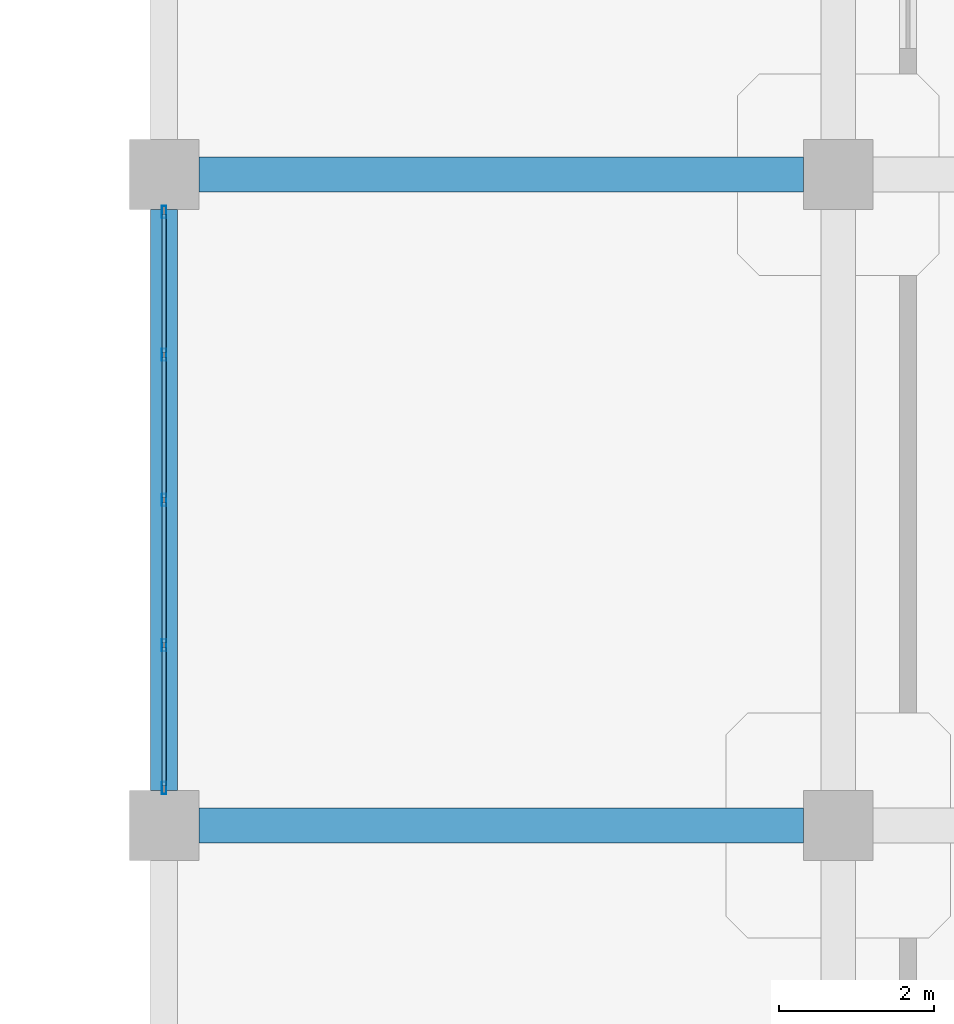
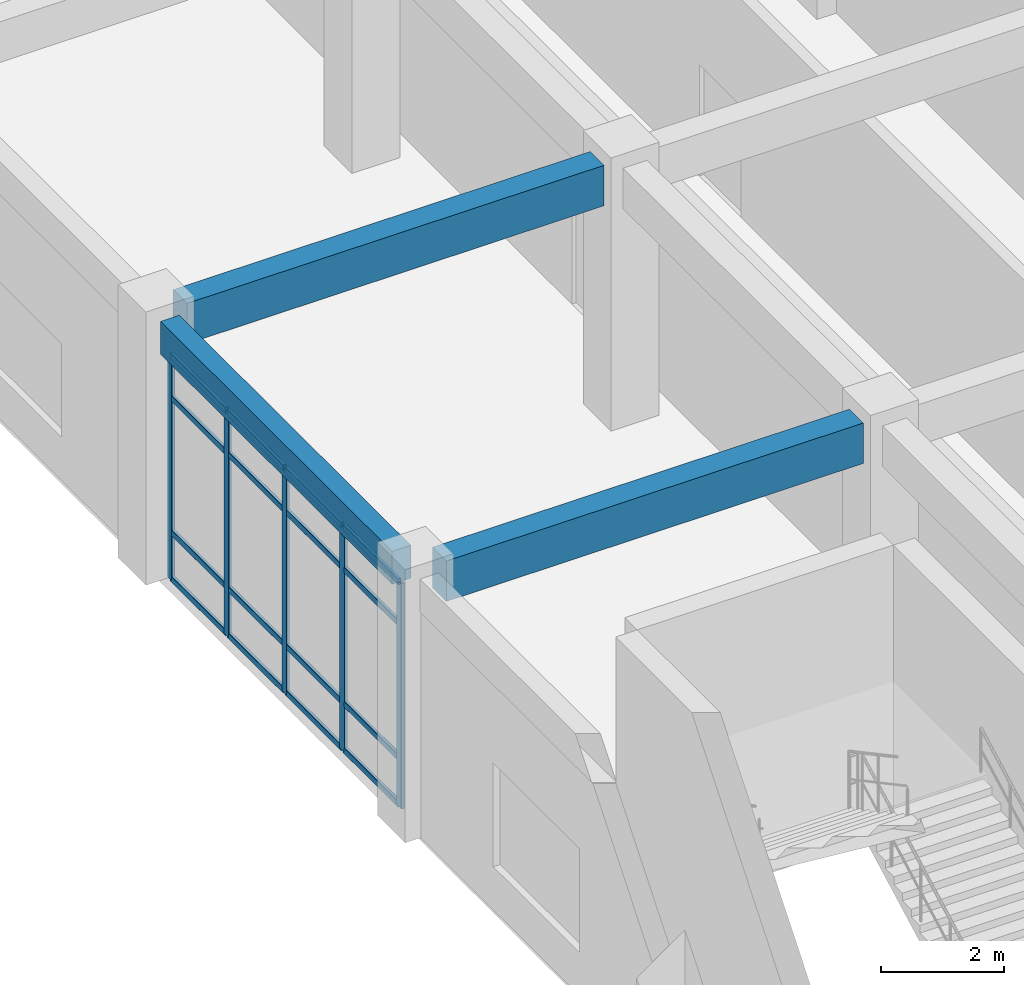
# One storey, part 30 of 114: 21 members, 3 beams, 1 element without a shape of its own.
"""IFC4 building model written with IfcOpenShell, lengths in metres."""

from ifc_helpers import new_model, si_unit, derived_unit, direction, frame, origin, origin_2d, place, context, subcontext, project, spatial, rectangle, hollow_rectangle, extrude, material, layer, layer_set, material_profile, profile_set, type_object, element, aggregate, save


model = new_model("IFC4")

# Units and contexts
model_context = context("Model", 3, precision=1e-05, world=origin(), true_north=direction((0.0, 1.0)))
body_context = subcontext(model_context, "Body", "Model", "MODEL_VIEW")
ifc_project = project(units=[si_unit("LENGTHUNIT", "METRE"), si_unit("AREAUNIT", "SQUARE_METRE"), si_unit("VOLUMEUNIT", "CUBIC_METRE"), si_unit("PLANEANGLEUNIT", "RADIAN"), si_unit("MASSUNIT", "GRAM", prefix="KILO"), derived_unit("THERMALTRANSMITTANCEUNIT", [(si_unit("MASSUNIT", "GRAM", prefix="KILO"), 1), (si_unit("TIMEUNIT", "SECOND"), -3), (si_unit("THERMODYNAMICTEMPERATUREUNIT", "KELVIN"), -1)])], contexts=[model_context])

# Site, building, storey
site_placement = place(None, origin())
site = spatial("IfcSite", under=ifc_project, at=site_placement, CompositionType="ELEMENT")
building_placement = place(site_placement, origin())
building = spatial("IfcBuilding", under=site, at=building_placement, Name="Qinzheling Arcade Emporium", CompositionType="ELEMENT")
storey_placement = place(building_placement, frame((0.0, 0.0, 6.0)))
storey = spatial("IfcBuildingStorey", under=building, at=storey_placement, Name="L02", CompositionType="ELEMENT", Elevation=6.0)

# Curtain wall, members
ifc_material_1 = material(Name="Anodised aluminium and solar-control double glazing", Category="aluminium")
ifc_layer = layer(ifc_material_1, 0.159912109375, Name="Anodised aluminium and solar-control double glazing", Category="aluminium")
ifc_layer_set = layer_set([ifc_layer], Name="Anodised aluminium and solar-control double glazing")
curtain_wall_type = type_object("IfcCurtainWallType", Name="Arcade Portal Glazed Curtain Wall", PredefinedType="NOTDEFINED", material=ifc_layer_set)
curtain_wall_placement = place(storey_placement, origin())
curtain_wall = element("IfcCurtainWall", 1, at=curtain_wall_placement, inside=storey, type_object=curtain_wall_type, Name="Curtain Wall CW-L02-061", PredefinedType="NOTDEFINED")
ifc_material_2 = material(Name="Anodised aluminium 6063-T6", Category="aluminium")
ifc_material_profile_1 = material_profile(ifc_material_2, hollow_rectangle(XDim=0.06005859375, YDim=0.159912109375, WallThickness=0.00390625, InnerFilletRadius=0.00390625, OuterFilletRadius=0.008056640625, at=origin_2d()), Name="RHS 160x60x4", Category="aluminium")
ifc_profile_set_1 = profile_set([ifc_material_profile_1], Name="Anodised aluminium 6063-T6")
member_type_1 = type_object("IfcMemberType", Name="Curtain Wall Mullion RHS160x60", PredefinedType="MULLION", material=ifc_profile_set_1)
member_1_placement = place(storey_placement, frame((104.39990234375, 17.281982421875, 0.0), z_axis=(0.0, 0.0, 1.0), x_axis=(-1.0, 0.0, 0.0)))
member_1 = element("IfcMember", 2, at=member_1_placement, type_object=member_type_1, Name="CW05 mullion 1", PredefinedType="MULLION", context=body_context, shape_type="SweptSolid", body=[
    extrude(hollow_rectangle(XDim=0.06005859375, YDim=0.159912109375, WallThickness=0.00390625, InnerFilletRadius=0.00390625, OuterFilletRadius=0.008056640625, at=origin_2d()), origin(), (0.0, 0.0, 1.0), 4.455078125),
])
member_2_placement = place(storey_placement, frame((104.39990234375, 19.1259765625, 0.0), z_axis=(0.0, 0.0, 1.0), x_axis=(-1.0, 0.0, 0.0)))
member_2 = element("IfcMember", 3, at=member_2_placement, type_object=member_type_1, Name="CW05 mullion 2", PredefinedType="MULLION", context=body_context, shape_type="SweptSolid", body=[
    extrude(hollow_rectangle(XDim=0.06005859375, YDim=0.159912109375, WallThickness=0.00390625, InnerFilletRadius=0.00390625, OuterFilletRadius=0.008056640625, at=origin_2d()), origin(), (0.0, 0.0, 1.0), 4.455078125),
])
member_3_placement = place(storey_placement, frame((104.39990234375, 21.0, 0.0), z_axis=(0.0, 0.0, 1.0), x_axis=(-1.0, 0.0, 0.0)))
member_3 = element("IfcMember", 4, at=member_3_placement, type_object=member_type_1, Name="CW05 mullion 3", PredefinedType="MULLION", context=body_context, shape_type="SweptSolid", body=[
    extrude(hollow_rectangle(XDim=0.06005859375, YDim=0.159912109375, WallThickness=0.00390625, InnerFilletRadius=0.00390625, OuterFilletRadius=0.008056640625, at=origin_2d()), origin(), (0.0, 0.0, 1.0), 4.455078125),
])
member_4_placement = place(storey_placement, frame((104.39990234375, 22.8740234375, 0.0), z_axis=(0.0, 0.0, 1.0), x_axis=(-1.0, 0.0, 0.0)))
member_4 = element("IfcMember", 5, at=member_4_placement, type_object=member_type_1, Name="CW05 mullion 4", PredefinedType="MULLION", context=body_context, shape_type="SweptSolid", body=[
    extrude(hollow_rectangle(XDim=0.06005859375, YDim=0.159912109375, WallThickness=0.00390625, InnerFilletRadius=0.00390625, OuterFilletRadius=0.008056640625, at=origin_2d()), origin(), (0.0, 0.0, 1.0), 4.455078125),
])
member_5_placement = place(storey_placement, frame((104.39990234375, 24.718017578125, 0.0), z_axis=(0.0, 0.0, 1.0), x_axis=(-1.0, 0.0, 0.0)))
member_5 = element("IfcMember", 6, at=member_5_placement, type_object=member_type_1, Name="CW05 mullion 5", PredefinedType="MULLION", context=body_context, shape_type="SweptSolid", body=[
    extrude(hollow_rectangle(XDim=0.06005859375, YDim=0.159912109375, WallThickness=0.00390625, InnerFilletRadius=0.00390625, OuterFilletRadius=0.008056640625, at=origin_2d()), origin(), (0.0, 0.0, 1.0), 4.455078125),
])
ifc_material_profile_2 = material_profile(ifc_material_2, hollow_rectangle(XDim=0.06005859375, YDim=0.1201171875, WallThickness=0.00390625, InnerFilletRadius=0.00390625, OuterFilletRadius=0.008056640625, at=origin_2d()), Name="RHS 120x60x4", Category="aluminium")
ifc_profile_set_2 = profile_set([ifc_material_profile_2], Name="Anodised aluminium 6063-T6")
member_type_2 = type_object("IfcMemberType", Name="Curtain Wall Transom RHS120x60", PredefinedType="USERDEFINED", material=ifc_profile_set_2)
member_6_placement = place(storey_placement, frame((104.39990234375, 17.31201171875, 0.030029296875), z_axis=(0.0, 1.0, 0.0), x_axis=(-1.0, 0.0, 0.0)))
member_6 = element("IfcMember", 7, at=member_6_placement, type_object=member_type_2, Name="CW05 transom 1.1", ObjectType="TRANSOM", PredefinedType="USERDEFINED", context=body_context, shape_type="SweptSolid", body=[
    extrude(hollow_rectangle(XDim=0.06005859375, YDim=0.1201171875, WallThickness=0.00390625, InnerFilletRadius=0.00390625, OuterFilletRadius=0.008056640625, at=origin_2d()), origin(), (0.0, 0.0, 1.0), 1.783935546875),
])
member_7_placement = place(storey_placement, frame((104.39990234375, 17.31201171875, 0.949951171875), z_axis=(0.0, 1.0, 0.0), x_axis=(-1.0, 0.0, 0.0)))
member_7 = element("IfcMember", 8, at=member_7_placement, type_object=member_type_2, Name="CW05 transom 1.2", ObjectType="TRANSOM", PredefinedType="USERDEFINED", context=body_context, shape_type="SweptSolid", body=[
    extrude(hollow_rectangle(XDim=0.06005859375, YDim=0.1201171875, WallThickness=0.00390625, InnerFilletRadius=0.00390625, OuterFilletRadius=0.008056640625, at=origin_2d()), origin(), (0.0, 0.0, 1.0), 1.783935546875),
])
member_8_placement = place(storey_placement, frame((104.39990234375, 17.31201171875, 3.60498046875), z_axis=(0.0, 1.0, 0.0), x_axis=(-1.0, 0.0, 0.0)))
member_8 = element("IfcMember", 9, at=member_8_placement, type_object=member_type_2, Name="CW05 transom 1.3", ObjectType="TRANSOM", PredefinedType="USERDEFINED", context=body_context, shape_type="SweptSolid", body=[
    extrude(hollow_rectangle(XDim=0.06005859375, YDim=0.1201171875, WallThickness=0.00390625, InnerFilletRadius=0.00390625, OuterFilletRadius=0.008056640625, at=origin_2d()), origin(), (0.0, 0.0, 1.0), 1.783935546875),
])
member_9_placement = place(storey_placement, frame((104.39990234375, 17.31201171875, 4.425048828125), z_axis=(0.0, 1.0, 0.0), x_axis=(-1.0, 0.0, 0.0)))
member_9 = element("IfcMember", 10, at=member_9_placement, type_object=member_type_2, Name="CW05 transom 1.4", ObjectType="TRANSOM", PredefinedType="USERDEFINED", context=body_context, shape_type="SweptSolid", body=[
    extrude(hollow_rectangle(XDim=0.06005859375, YDim=0.1201171875, WallThickness=0.00390625, InnerFilletRadius=0.00390625, OuterFilletRadius=0.008056640625, at=origin_2d()), origin(), (0.0, 0.0, 1.0), 1.783935546875),
])
member_10_placement = place(storey_placement, frame((104.39990234375, 19.156005859375, 0.030029296875), z_axis=(0.0, 1.0, 0.0), x_axis=(-1.0, 0.0, 0.0)))
member_10 = element("IfcMember", 11, at=member_10_placement, type_object=member_type_2, Name="CW05 transom 2.1", ObjectType="TRANSOM", PredefinedType="USERDEFINED", context=body_context, shape_type="SweptSolid", body=[
    extrude(hollow_rectangle(XDim=0.06005859375, YDim=0.1201171875, WallThickness=0.00390625, InnerFilletRadius=0.00390625, OuterFilletRadius=0.008056640625, at=origin_2d()), origin(), (0.0, 0.0, 1.0), 1.81396484375),
])
member_11_placement = place(storey_placement, frame((104.39990234375, 19.156005859375, 0.949951171875), z_axis=(0.0, 1.0, 0.0), x_axis=(-1.0, 0.0, 0.0)))
member_11 = element("IfcMember", 12, at=member_11_placement, type_object=member_type_2, Name="CW05 transom 2.2", ObjectType="TRANSOM", PredefinedType="USERDEFINED", context=body_context, shape_type="SweptSolid", body=[
    extrude(hollow_rectangle(XDim=0.06005859375, YDim=0.1201171875, WallThickness=0.00390625, InnerFilletRadius=0.00390625, OuterFilletRadius=0.008056640625, at=origin_2d()), origin(), (0.0, 0.0, 1.0), 1.81396484375),
])
member_12_placement = place(storey_placement, frame((104.39990234375, 19.156005859375, 3.60498046875), z_axis=(0.0, 1.0, 0.0), x_axis=(-1.0, 0.0, 0.0)))
member_12 = element("IfcMember", 13, at=member_12_placement, type_object=member_type_2, Name="CW05 transom 2.3", ObjectType="TRANSOM", PredefinedType="USERDEFINED", context=body_context, shape_type="SweptSolid", body=[
    extrude(hollow_rectangle(XDim=0.06005859375, YDim=0.1201171875, WallThickness=0.00390625, InnerFilletRadius=0.00390625, OuterFilletRadius=0.008056640625, at=origin_2d()), origin(), (0.0, 0.0, 1.0), 1.81396484375),
])
member_13_placement = place(storey_placement, frame((104.39990234375, 19.156005859375, 4.425048828125), z_axis=(0.0, 1.0, 0.0), x_axis=(-1.0, 0.0, 0.0)))
member_13 = element("IfcMember", 14, at=member_13_placement, type_object=member_type_2, Name="CW05 transom 2.4", ObjectType="TRANSOM", PredefinedType="USERDEFINED", context=body_context, shape_type="SweptSolid", body=[
    extrude(hollow_rectangle(XDim=0.06005859375, YDim=0.1201171875, WallThickness=0.00390625, InnerFilletRadius=0.00390625, OuterFilletRadius=0.008056640625, at=origin_2d()), origin(), (0.0, 0.0, 1.0), 1.81396484375),
])
member_14_placement = place(storey_placement, frame((104.39990234375, 21.030029296875, 0.030029296875), z_axis=(0.0, 1.0, 0.0), x_axis=(-1.0, 0.0, 0.0)))
member_14 = element("IfcMember", 15, at=member_14_placement, type_object=member_type_2, Name="CW05 transom 3.1", ObjectType="TRANSOM", PredefinedType="USERDEFINED", context=body_context, shape_type="SweptSolid", body=[
    extrude(hollow_rectangle(XDim=0.06005859375, YDim=0.1201171875, WallThickness=0.00390625, InnerFilletRadius=0.00390625, OuterFilletRadius=0.008056640625, at=origin_2d()), origin(), (0.0, 0.0, 1.0), 1.81396484375),
])
member_15_placement = place(storey_placement, frame((104.39990234375, 21.030029296875, 0.949951171875), z_axis=(0.0, 1.0, 0.0), x_axis=(-1.0, 0.0, 0.0)))
member_15 = element("IfcMember", 16, at=member_15_placement, type_object=member_type_2, Name="CW05 transom 3.2", ObjectType="TRANSOM", PredefinedType="USERDEFINED", context=body_context, shape_type="SweptSolid", body=[
    extrude(hollow_rectangle(XDim=0.06005859375, YDim=0.1201171875, WallThickness=0.00390625, InnerFilletRadius=0.00390625, OuterFilletRadius=0.008056640625, at=origin_2d()), origin(), (0.0, 0.0, 1.0), 1.81396484375),
])
member_16_placement = place(storey_placement, frame((104.39990234375, 21.030029296875, 3.60498046875), z_axis=(0.0, 1.0, 0.0), x_axis=(-1.0, 0.0, 0.0)))
member_16 = element("IfcMember", 17, at=member_16_placement, type_object=member_type_2, Name="CW05 transom 3.3", ObjectType="TRANSOM", PredefinedType="USERDEFINED", context=body_context, shape_type="SweptSolid", body=[
    extrude(hollow_rectangle(XDim=0.06005859375, YDim=0.1201171875, WallThickness=0.00390625, InnerFilletRadius=0.00390625, OuterFilletRadius=0.008056640625, at=origin_2d()), origin(), (0.0, 0.0, 1.0), 1.81396484375),
])
member_17_placement = place(storey_placement, frame((104.39990234375, 21.030029296875, 4.425048828125), z_axis=(0.0, 1.0, 0.0), x_axis=(-1.0, 0.0, 0.0)))
member_17 = element("IfcMember", 18, at=member_17_placement, type_object=member_type_2, Name="CW05 transom 3.4", ObjectType="TRANSOM", PredefinedType="USERDEFINED", context=body_context, shape_type="SweptSolid", body=[
    extrude(hollow_rectangle(XDim=0.06005859375, YDim=0.1201171875, WallThickness=0.00390625, InnerFilletRadius=0.00390625, OuterFilletRadius=0.008056640625, at=origin_2d()), origin(), (0.0, 0.0, 1.0), 1.81396484375),
])
member_18_placement = place(storey_placement, frame((104.39990234375, 22.904052734375, 0.030029296875), z_axis=(0.0, 1.0, 0.0), x_axis=(-1.0, 0.0, 0.0)))
member_18 = element("IfcMember", 19, at=member_18_placement, type_object=member_type_2, Name="CW05 transom 4.1", ObjectType="TRANSOM", PredefinedType="USERDEFINED", context=body_context, shape_type="SweptSolid", body=[
    extrude(hollow_rectangle(XDim=0.06005859375, YDim=0.1201171875, WallThickness=0.00390625, InnerFilletRadius=0.00390625, OuterFilletRadius=0.008056640625, at=origin_2d()), origin(), (0.0, 0.0, 1.0), 1.783935546875),
])
member_19_placement = place(storey_placement, frame((104.39990234375, 22.904052734375, 0.949951171875), z_axis=(0.0, 1.0, 0.0), x_axis=(-1.0, 0.0, 0.0)))
member_19 = element("IfcMember", 20, at=member_19_placement, type_object=member_type_2, Name="CW05 transom 4.2", ObjectType="TRANSOM", PredefinedType="USERDEFINED", context=body_context, shape_type="SweptSolid", body=[
    extrude(hollow_rectangle(XDim=0.06005859375, YDim=0.1201171875, WallThickness=0.00390625, InnerFilletRadius=0.00390625, OuterFilletRadius=0.008056640625, at=origin_2d()), origin(), (0.0, 0.0, 1.0), 1.783935546875),
])
member_20_placement = place(storey_placement, frame((104.39990234375, 22.904052734375, 3.60498046875), z_axis=(0.0, 1.0, 0.0), x_axis=(-1.0, 0.0, 0.0)))
member_20 = element("IfcMember", 21, at=member_20_placement, type_object=member_type_2, Name="CW05 transom 4.3", ObjectType="TRANSOM", PredefinedType="USERDEFINED", context=body_context, shape_type="SweptSolid", body=[
    extrude(hollow_rectangle(XDim=0.06005859375, YDim=0.1201171875, WallThickness=0.00390625, InnerFilletRadius=0.00390625, OuterFilletRadius=0.008056640625, at=origin_2d()), origin(), (0.0, 0.0, 1.0), 1.783935546875),
])
member_21_placement = place(storey_placement, frame((104.39990234375, 22.904052734375, 4.425048828125), z_axis=(0.0, 1.0, 0.0), x_axis=(-1.0, 0.0, 0.0)))
member_21 = element("IfcMember", 22, at=member_21_placement, type_object=member_type_2, Name="CW05 transom 4.4", ObjectType="TRANSOM", PredefinedType="USERDEFINED", context=body_context, shape_type="SweptSolid", body=[
    extrude(hollow_rectangle(XDim=0.06005859375, YDim=0.1201171875, WallThickness=0.00390625, InnerFilletRadius=0.00390625, OuterFilletRadius=0.008056640625, at=origin_2d()), origin(), (0.0, 0.0, 1.0), 1.783935546875),
])
aggregate(curtain_wall, [member_1, member_2, member_3, member_4, member_5, member_6, member_7, member_8, member_9, member_10, member_11, member_12, member_13, member_14, member_15, member_16, member_17, member_18, member_19, member_20, member_21])

# Beams
ifc_material_3 = material(Name="Concrete C40", Category="concrete")
ifc_material_profile_3 = material_profile(ifc_material_3, rectangle(XDim=0.449951171875, YDim=0.800048828125, at=origin_2d()), Name="RC 450x800", Category="concrete")
ifc_profile_set_3 = profile_set([ifc_material_profile_3], Name="Concrete C40")
beam_type_1 = type_object("IfcBeamType", Name="RC Primary Frame Beam 450x800 C40", PredefinedType="BEAM", material=ifc_profile_set_3)
for number, where, z_axis, x_axis, name in (
    (23, (104.85009765625, 16.800048828125, 4.719970703125), (1.0, 0.0, 0.0), (0.0, 1.0, 0.0), "Beam BM-L02-X-C-13"),
    (24, (104.85009765625, 25.199951171875, 4.719970703125), (1.0, 0.0, 0.0), (0.0, 1.0, 0.0), "Beam BM-L02-X-D-13"),
):
    element("IfcBeam", number, at=place(storey_placement, frame(where, z_axis=z_axis, x_axis=x_axis)), inside=storey, type_object=beam_type_1, Name=name, PredefinedType="BEAM", context=body_context, shape_type="SweptSolid", body=[
        extrude(rectangle(XDim=0.449951171875, YDim=0.800048828125, at=origin_2d()), origin(), (0.0, 0.0, 1.0), 7.7998046875),
    ])
ifc_material_profile_4 = material_profile(ifc_material_3, rectangle(XDim=0.35009765625, YDim=0.64990234375, at=origin_2d()), Name="RC 350x650", Category="concrete")
ifc_profile_set_4 = profile_set([ifc_material_profile_4], Name="Concrete C40")
beam_type_2 = type_object("IfcBeamType", Name="RC Spandrel Edge Beam 350x650 C40", PredefinedType="SPANDREL", material=ifc_profile_set_4)
beam_placement = place(storey_placement, frame((104.39990234375, 17.25, 4.794921875), z_axis=(0.0, 1.0, 0.0), x_axis=(-1.0, 0.0, 0.0)))
element("IfcBeam", 25, at=beam_placement, inside=storey, type_object=beam_type_2, Name="Beam BM-L02-Y-13-C", PredefinedType="SPANDREL", context=body_context, shape_type="SweptSolid", body=[
    extrude(rectangle(XDim=0.35009765625, YDim=0.64990234375, at=origin_2d()), origin(), (0.0, 0.0, 1.0), 7.5),
])

save(model, "model.ifc")
